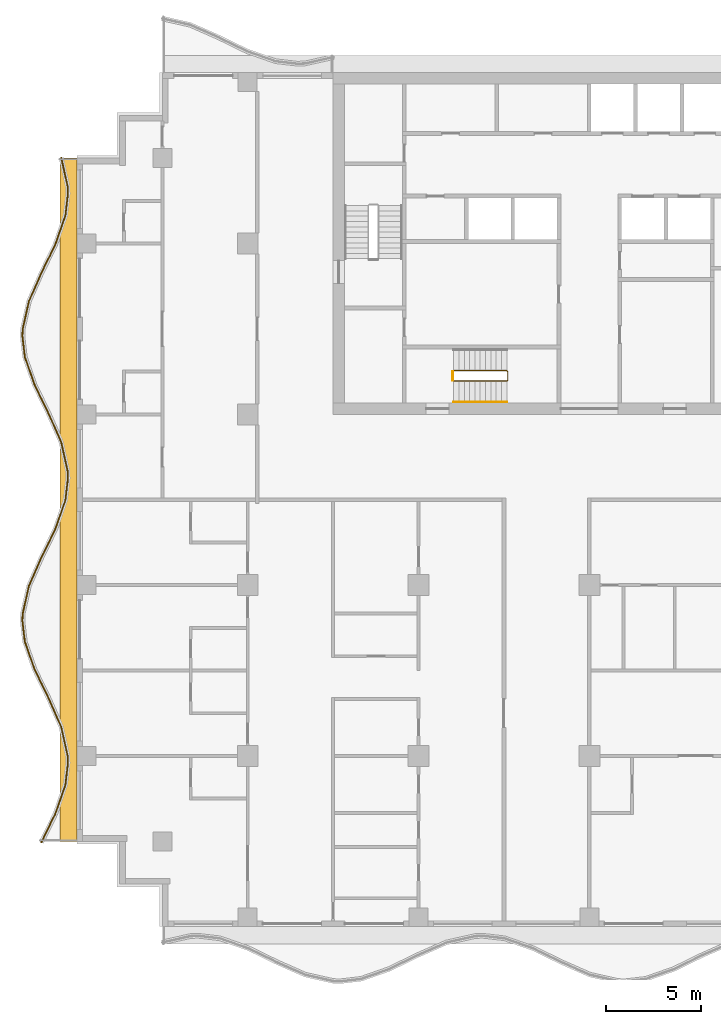
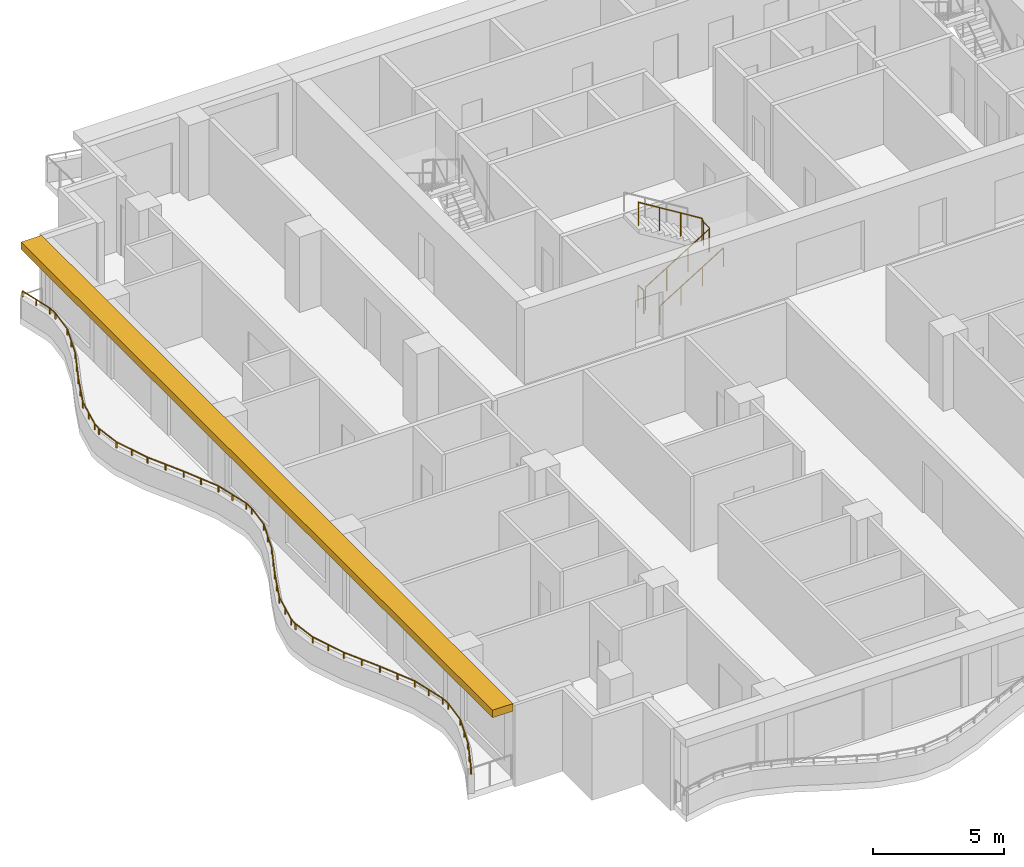
# One storey, part 9 of 11: 4 railings, 1 shading device.
"""IFC4 building model written with IfcOpenShell, lengths in metres."""

from ifc_helpers import new_model, si_unit, direction, frame, origin, origin_2d, place, context, subcontext, project, spatial, polyline, rectangle, circle, outline, extrude, material, layer, layer_set, type_object, element, save


model = new_model("IFC4")

# Units and contexts
model_context = context("Model", 3, precision=1e-05, world=origin(), true_north=direction((0.0, 1.0)))
body_context = subcontext(model_context, "Body", "Model", "MODEL_VIEW")
ifc_project = project(units=[si_unit("LENGTHUNIT", "METRE"), si_unit("AREAUNIT", "SQUARE_METRE"), si_unit("VOLUMEUNIT", "CUBIC_METRE"), si_unit("PLANEANGLEUNIT", "RADIAN"), si_unit("MASSUNIT", "GRAM", prefix="KILO")], contexts=[model_context])

# Site, building, storey
site_placement = place(None, origin())
site = spatial("IfcSite", under=ifc_project, at=site_placement, CompositionType="ELEMENT")
building_placement = place(site_placement, origin())
building = spatial("IfcBuilding", under=site, at=building_placement, Name="Orbiselva Terraces", CompositionType="ELEMENT")
storey_placement = place(building_placement, frame((0.0, 0.0, 199.6)))
storey = spatial("IfcBuildingStorey", under=building, at=storey_placement, Name="L50", CompositionType="ELEMENT", Elevation=199.6)

# Railings
ifc_material_1 = material(Name="Stainless steel", Category="steel")
railing_type_1 = type_object("IfcRailingType", Name="CORE-GUARD-1100", PredefinedType="GUARDRAIL", material=ifc_material_1)
railing_1_placement = place(storey_placement, frame((-7.15, 6.25, 0.172727)))
element("IfcRailing", 1, at=railing_1_placement, inside=storey, type_object=railing_type_1, Name="L50 S3 stair guard 1", PredefinedType="GUARDRAIL", context=body_context, shape_type="SweptSolid", body=[
    extrude(circle(Radius=0.024, at=origin_2d()), frame((0.0, 0.0, 1.081), z_axis=(0.851088519012, 0.0, 0.52502222125), x_axis=(0.0, 1.0, 0.0)), (0.0, 0.0, 1.0), 3.289905),
    extrude(circle(Radius=0.024, at=origin_2d()), frame((2.8, 0.0, 2.808273), z_axis=(0.707106781187, 0.707106781187, 0.0), x_axis=(-0.707106781187, 0.707106781187, 0.0)), (0.0, 0.0, 1.0), 0.070711),
    extrude(circle(Radius=0.024, at=origin_2d()), frame((2.85, 0.05, 2.808273), z_axis=(0.0, 1.0, 0.0), x_axis=(-1.0, 0.0, 0.0)), (0.0, 0.0, 1.0), 0.45),
    extrude(circle(Radius=0.024, at=origin_2d()), frame((2.85, 0.5, 2.808273), z_axis=(-0.267894925557, 0.267894925557, 0.925453736133), x_axis=(-0.707106781187, -0.707106781187, 0.0)), (0.0, 0.0, 1.0), 0.18664),
    extrude(circle(Radius=0.024, at=origin_2d()), frame((2.8, 0.55, 2.981), z_axis=(-0.851088519012, 0.0, 0.52502222125), x_axis=(0.0, -1.0, 0.0)), (0.0, 0.0, 1.0), 3.289905),
    extrude(circle(Radius=0.021, at=origin_2d()), origin(), (0.0, 0.0, 1.0), 1.057),
    extrude(circle(Radius=0.021, at=origin_2d()), frame((0.933333, 0.0, 0.575758)), (0.0, 0.0, 1.0), 1.057),
    extrude(circle(Radius=0.021, at=origin_2d()), frame((1.866667, 0.0, 1.151515)), (0.0, 0.0, 1.0), 1.057),
    extrude(circle(Radius=0.021, at=origin_2d()), frame((2.8, 0.0, 1.727273)), (0.0, 0.0, 1.0), 1.057),
    extrude(circle(Radius=0.021, at=origin_2d()), frame((2.85, 0.05, 1.727273)), (0.0, 0.0, 1.0), 1.057),
    extrude(circle(Radius=0.021, at=origin_2d()), frame((2.85, 0.5, 1.727273)), (0.0, 0.0, 1.0), 1.057),
    extrude(circle(Radius=0.021, at=origin_2d()), frame((2.8, 0.55, 1.9)), (0.0, 0.0, 1.0), 1.057),
    extrude(circle(Radius=0.021, at=origin_2d()), frame((1.866667, 0.55, 2.475758)), (0.0, 0.0, 1.0), 1.057),
    extrude(circle(Radius=0.021, at=origin_2d()), frame((0.933333, 0.55, 3.051515)), (0.0, 0.0, 1.0), 1.057),
    extrude(circle(Radius=0.021, at=origin_2d()), frame((0.0, 0.55, 3.627273)), (0.0, 0.0, 1.0), 1.057),
])
railing_2_placement = place(storey_placement, frame((-7.2, 6.3, 0.0)))
element("IfcRailing", 2, at=railing_2_placement, inside=storey, type_object=railing_type_1, Name="L50 S3 stair guard 2", PredefinedType="GUARDRAIL", context=body_context, shape_type="SweptSolid", body=[
    extrude(circle(Radius=0.024, at=origin_2d()), frame((0.0, 0.0, 1.081), z_axis=(0.0, 1.0, 0.0), x_axis=(-1.0, 0.0, 0.0)), (0.0, 0.0, 1.0), 0.45),
    extrude(circle(Radius=0.021, at=origin_2d()), origin(), (0.0, 0.0, 1.0), 1.057),
    extrude(circle(Radius=0.021, at=origin_2d()), frame((0.0, 0.45, 0.0)), (0.0, 0.0, 1.0), 1.057),
])
railing_type_2 = type_object("IfcRailingType", Name="CORE-HANDRAIL-900", PredefinedType="HANDRAIL", material=ifc_material_1)
railing_3_placement = place(storey_placement, frame((-7.15, 5.15, 0.172727)))
element("IfcRailing", 3, at=railing_3_placement, inside=storey, type_object=railing_type_2, Name="L50 S3 stair handrail 1", PredefinedType="HANDRAIL", context=body_context, shape_type="SweptSolid", body=[
    extrude(circle(Radius=0.024, at=origin_2d()), frame((0.0, 0.0, 0.876), z_axis=(0.851088519012, 0.0, 0.52502222125), x_axis=(0.0, 1.0, 0.0)), (0.0, 0.0, 1.0), 3.289905),
    extrude(circle(Radius=0.021, at=origin_2d()), origin(), (0.0, 0.0, 1.0), 0.852),
    extrude(circle(Radius=0.021, at=origin_2d()), frame((0.933333, 0.0, 0.575758)), (0.0, 0.0, 1.0), 0.852),
    extrude(circle(Radius=0.021, at=origin_2d()), frame((1.866667, 0.0, 1.151515)), (0.0, 0.0, 1.0), 0.852),
    extrude(circle(Radius=0.021, at=origin_2d()), frame((2.8, 0.0, 1.727273)), (0.0, 0.0, 1.0), 0.852),
])
ifc_material_2 = material(Name="Bonded two-ply safety glass balustrade, stainless steel posts", Category="steel")
railing_type_3 = type_object("IfcRailingType", Name="ENV-BALUSTRADE-1200", PredefinedType="BALUSTRADE", material=ifc_material_2)
railing_4_placement = place(storey_placement, frame((-27.829507, 18.027377, 0.9)))
element("IfcRailing", 4, at=railing_4_placement, inside=storey, type_object=railing_type_3, Name="Balcony balustrade L50 W", PredefinedType="BALUSTRADE", context=body_context, shape_type="SweptSolid", body=[
    extrude(outline(polyline([(0.028868, 0.0), (0.014434, 0.025), (-0.014434, 0.025), (-0.028868, 0.0), (-0.014434, -0.025), (0.014434, -0.025), (0.028868, 0.0)])), frame((0.0, 0.0, 0.275), z_axis=(0.219015484484, -0.97572138316, 0.0), x_axis=(0.97572138316, 0.219015484484, 0.0)), (0.0, 0.0, 1.0), 1.548694),
    extrude(outline(polyline([(0.028868, 0.0), (0.014434, 0.025), (-0.014434, 0.025), (-0.028868, 0.0), (-0.014434, -0.025), (0.014434, -0.025), (0.028868, 0.0)])), frame((0.339188, -1.511094, 0.275), z_axis=(0.03936915532, -0.999224734286, 0.0), x_axis=(0.999224734286, 0.03936915532, 0.0)), (0.0, 0.0, 1.0), 0.396376),
    extrude(outline(polyline([(0.028868, 0.0), (0.014434, 0.025), (-0.014434, 0.025), (-0.028868, 0.0), (-0.014434, -0.025), (0.014434, -0.025), (0.028868, 0.0)])), frame((0.354793, -1.907163, 0.275), z_axis=(-0.115482182324, -0.993309551734, 0.0), x_axis=(0.993309551734, -0.115482182324, 0.0)), (0.0, 0.0, 1.0), 1.156135),
    extrude(outline(polyline([(0.028868, 0.0), (0.014434, 0.025), (-0.014434, 0.025), (-0.028868, 0.0), (-0.014434, -0.025), (0.014434, -0.025), (0.028868, 0.0)])), frame((0.22128, -3.055563, 0.275), z_axis=(-0.330024597479, -0.943972332783, 0.0), x_axis=(0.943972332783, -0.330024597479, 0.0)), (0.0, 0.0, 1.0), 1.610253),
    extrude(outline(polyline([(0.028868, 0.0), (0.014434, 0.025), (-0.014434, 0.025), (-0.028868, 0.0), (-0.014434, -0.025), (0.014434, -0.025), (0.028868, 0.0)])), frame((-0.310143, -4.575597, 0.275), z_axis=(-0.438812048596, -0.898578870221, 0.0), x_axis=(0.898578870221, -0.438812048596, 0.0)), (0.0, 0.0, 1.0), 1.674225),
    extrude(outline(polyline([(0.028868, 0.0), (0.014434, 0.025), (-0.014434, 0.025), (-0.028868, 0.0), (-0.014434, -0.025), (0.014434, -0.025), (0.028868, 0.0)])), frame((-1.044813, -6.08002, 0.275), z_axis=(-0.403151245402, -0.915133363686, 0.0), x_axis=(0.915133363686, -0.403151245402, 0.0)), (0.0, 0.0, 1.0), 1.624475),
    extrude(outline(polyline([(0.028868, 0.0), (0.014434, 0.025), (-0.014434, 0.025), (-0.028868, 0.0), (-0.014434, -0.025), (0.014434, -0.025), (0.028868, 0.0)])), frame((-1.699722, -7.566631, 0.275), z_axis=(-0.219015740235, -0.975721325753, 0.0), x_axis=(0.975721325753, -0.219015740235, 0.0)), (0.0, 0.0, 1.0), 1.513782),
    extrude(outline(polyline([(0.028868, 0.0), (0.014434, 0.025), (-0.014434, 0.025), (-0.028868, 0.0), (-0.014434, -0.025), (0.014434, -0.025), (0.028868, 0.0)])), frame((-2.031264, -9.04366, 0.275), z_axis=(-0.039364150694, -0.999224931454, 0.0), x_axis=(0.999224931454, -0.039364150694, 0.0)), (0.0, 0.0, 1.0), 0.354206),
    extrude(outline(polyline([(0.028868, 0.0), (0.014434, 0.025), (-0.014434, 0.025), (-0.028868, 0.0), (-0.014434, -0.025), (0.014434, -0.025), (0.028868, 0.0)])), frame((-2.045207, -9.397591, 0.275), z_axis=(0.115481264762, -0.993309658409, 0.0), x_axis=(0.993309658409, 0.115481264762, 0.0)), (0.0, 0.0, 1.0), 1.10902),
    extrude(outline(polyline([(0.028868, 0.0), (0.014434, 0.025), (-0.014434, 0.025), (-0.028868, 0.0), (-0.014434, -0.025), (0.014434, -0.025), (0.028868, 0.0)])), frame((-1.917136, -10.499191, 0.275), z_axis=(0.330024754707, -0.943972277814, 0.0), x_axis=(0.943972277814, 0.330024754707, 0.0)), (0.0, 0.0, 1.0), 1.567807),
    extrude(outline(polyline([(0.028868, 0.0), (0.014434, 0.025), (-0.014434, 0.025), (-0.028868, 0.0), (-0.014434, -0.025), (0.014434, -0.025), (0.028868, 0.0)])), frame((-1.399721, -11.979157, 0.275), z_axis=(0.438811978768, -0.89857890432, 0.0), x_axis=(0.89857890432, 0.438811978768, 0.0)), (0.0, 0.0, 1.0), 1.66438),
    extrude(outline(polyline([(0.028868, 0.0), (0.014434, 0.025), (-0.014434, 0.025), (-0.028868, 0.0), (-0.014434, -0.025), (0.014434, -0.025), (0.028868, 0.0)])), frame((-0.669371, -13.474734, 0.275), z_axis=(0.403150874148, -0.915133527237, 0.0), x_axis=(0.915133527237, 0.403150874148, 0.0)), (0.0, 0.0, 1.0), 1.653736),
    extrude(outline(polyline([(0.028868, 0.0), (0.014434, 0.025), (-0.014434, 0.025), (-0.028868, 0.0), (-0.014434, -0.025), (0.014434, -0.025), (0.028868, 0.0)])), frame((-0.002666, -14.988123, 0.275), z_axis=(0.219015500924, -0.97572137947, 0.0), x_axis=(0.97572137947, 0.219015500924, 0.0)), (0.0, 0.0, 1.0), 1.560867),
    extrude(outline(polyline([(0.028868, 0.0), (0.014434, 0.025), (-0.014434, 0.025), (-0.028868, 0.0), (-0.014434, -0.025), (0.014434, -0.025), (0.028868, 0.0)])), frame((0.339188, -16.511094, 0.275), z_axis=(0.03936915532, -0.999224734286, 0.0), x_axis=(0.999224734286, 0.03936915532, 0.0)), (0.0, 0.0, 1.0), 0.396376),
    extrude(outline(polyline([(0.028868, 0.0), (0.014434, 0.025), (-0.014434, 0.025), (-0.028868, 0.0), (-0.014434, -0.025), (0.014434, -0.025), (0.028868, 0.0)])), frame((0.354793, -16.907163, 0.275), z_axis=(-0.115482182324, -0.993309551734, 0.0), x_axis=(0.993309551734, -0.115482182324, 0.0)), (0.0, 0.0, 1.0), 1.156135),
    extrude(outline(polyline([(0.028868, 0.0), (0.014434, 0.025), (-0.014434, 0.025), (-0.028868, 0.0), (-0.014434, -0.025), (0.014434, -0.025), (0.028868, 0.0)])), frame((0.22128, -18.055563, 0.275), z_axis=(-0.330024597479, -0.943972332783, 0.0), x_axis=(0.943972332783, -0.330024597479, 0.0)), (0.0, 0.0, 1.0), 1.610253),
    extrude(outline(polyline([(0.028868, 0.0), (0.014434, 0.025), (-0.014434, 0.025), (-0.028868, 0.0), (-0.014434, -0.025), (0.014434, -0.025), (0.028868, 0.0)])), frame((-0.310143, -19.575597, 0.275), z_axis=(-0.438812048596, -0.898578870221, 0.0), x_axis=(0.898578870221, -0.438812048596, 0.0)), (0.0, 0.0, 1.0), 1.674225),
    extrude(outline(polyline([(0.028868, 0.0), (0.014434, 0.025), (-0.014434, 0.025), (-0.028868, 0.0), (-0.014434, -0.025), (0.014434, -0.025), (0.028868, 0.0)])), frame((-1.044813, -21.08002, 0.275), z_axis=(-0.403151245402, -0.915133363686, 0.0), x_axis=(0.915133363686, -0.403151245402, 0.0)), (0.0, 0.0, 1.0), 1.624475),
    extrude(outline(polyline([(0.028868, 0.0), (0.014434, 0.025), (-0.014434, 0.025), (-0.028868, 0.0), (-0.014434, -0.025), (0.014434, -0.025), (0.028868, 0.0)])), frame((-1.699722, -22.566631, 0.275), z_axis=(-0.219015740235, -0.975721325753, 0.0), x_axis=(0.975721325753, -0.219015740235, 0.0)), (0.0, 0.0, 1.0), 1.513782),
    extrude(outline(polyline([(0.028868, 0.0), (0.014434, 0.025), (-0.014434, 0.025), (-0.028868, 0.0), (-0.014434, -0.025), (0.014434, -0.025), (0.028868, 0.0)])), frame((-2.031264, -24.04366, 0.275), z_axis=(-0.039364150694, -0.999224931454, 0.0), x_axis=(0.999224931454, -0.039364150694, 0.0)), (0.0, 0.0, 1.0), 0.354206),
    extrude(outline(polyline([(0.028868, 0.0), (0.014434, 0.025), (-0.014434, 0.025), (-0.028868, 0.0), (-0.014434, -0.025), (0.014434, -0.025), (0.028868, 0.0)])), frame((-2.045207, -24.397591, 0.275), z_axis=(0.115481264762, -0.993309658409, 0.0), x_axis=(0.993309658409, 0.115481264762, 0.0)), (0.0, 0.0, 1.0), 1.10902),
    extrude(outline(polyline([(0.028868, 0.0), (0.014434, 0.025), (-0.014434, 0.025), (-0.028868, 0.0), (-0.014434, -0.025), (0.014434, -0.025), (0.028868, 0.0)])), frame((-1.917136, -25.499191, 0.275), z_axis=(0.330024754707, -0.943972277814, 0.0), x_axis=(0.943972277814, 0.330024754707, 0.0)), (0.0, 0.0, 1.0), 1.567807),
    extrude(outline(polyline([(0.028868, 0.0), (0.014434, 0.025), (-0.014434, 0.025), (-0.028868, 0.0), (-0.014434, -0.025), (0.014434, -0.025), (0.028868, 0.0)])), frame((-1.399721, -26.979157, 0.275), z_axis=(0.438811978768, -0.89857890432, 0.0), x_axis=(0.89857890432, 0.438811978768, 0.0)), (0.0, 0.0, 1.0), 1.66438),
    extrude(outline(polyline([(0.028868, 0.0), (0.014434, 0.025), (-0.014434, 0.025), (-0.028868, 0.0), (-0.014434, -0.025), (0.014434, -0.025), (0.028868, 0.0)])), frame((-0.669371, -28.474734, 0.275), z_axis=(0.403150874148, -0.915133527237, 0.0), x_axis=(0.915133527237, 0.403150874148, 0.0)), (0.0, 0.0, 1.0), 1.653736),
    extrude(outline(polyline([(0.028868, 0.0), (0.014434, 0.025), (-0.014434, 0.025), (-0.028868, 0.0), (-0.014434, -0.025), (0.014434, -0.025), (0.028868, 0.0)])), frame((-0.002666, -29.988123, 0.275), z_axis=(0.219015500924, -0.97572137947, 0.0), x_axis=(0.97572137947, 0.219015500924, 0.0)), (0.0, 0.0, 1.0), 1.560867),
    extrude(outline(polyline([(0.028868, 0.0), (0.014434, 0.025), (-0.014434, 0.025), (-0.028868, 0.0), (-0.014434, -0.025), (0.014434, -0.025), (0.028868, 0.0)])), frame((0.339188, -31.511094, 0.275), z_axis=(0.03936915532, -0.999224734286, 0.0), x_axis=(0.999224734286, 0.03936915532, 0.0)), (0.0, 0.0, 1.0), 0.396376),
    extrude(outline(polyline([(0.028868, 0.0), (0.014434, 0.025), (-0.014434, 0.025), (-0.028868, 0.0), (-0.014434, -0.025), (0.014434, -0.025), (0.028868, 0.0)])), frame((0.354793, -31.907163, 0.275), z_axis=(-0.115482182324, -0.993309551734, 0.0), x_axis=(0.993309551734, -0.115482182324, 0.0)), (0.0, 0.0, 1.0), 1.156135),
    extrude(outline(polyline([(0.028868, 0.0), (0.014434, 0.025), (-0.014434, 0.025), (-0.028868, 0.0), (-0.014434, -0.025), (0.014434, -0.025), (0.028868, 0.0)])), frame((0.22128, -33.055563, 0.275), z_axis=(-0.330024597479, -0.943972332783, 0.0), x_axis=(0.943972332783, -0.330024597479, 0.0)), (0.0, 0.0, 1.0), 1.610253),
    extrude(outline(polyline([(0.028868, 0.0), (0.014434, 0.025), (-0.014434, 0.025), (-0.028868, 0.0), (-0.014434, -0.025), (0.014434, -0.025), (0.028868, 0.0)])), frame((-0.310143, -34.575597, 0.275), z_axis=(-0.43881217228, -0.898578809821, 0.0), x_axis=(0.898578809821, -0.43881217228, 0.0)), (0.0, 0.0, 1.0), 1.676683),
    extrude(rectangle(XDim=0.05, YDim=0.05, at=origin_2d()), origin(), (0.0, 0.0, 1.0), 0.25),
    extrude(rectangle(XDim=0.05, YDim=0.05, at=origin_2d()), frame((0.169594, -0.755547, 0.0)), (0.0, 0.0, 1.0), 0.25),
    extrude(rectangle(XDim=0.05, YDim=0.05, at=origin_2d()), frame((0.339188, -1.511094, 0.0)), (0.0, 0.0, 1.0), 0.25),
    extrude(rectangle(XDim=0.05, YDim=0.05, at=origin_2d()), frame((0.354793, -1.907163, 0.0)), (0.0, 0.0, 1.0), 0.25),
    extrude(rectangle(XDim=0.05, YDim=0.05, at=origin_2d()), frame((0.22128, -3.055563, 0.0)), (0.0, 0.0, 1.0), 0.25),
    extrude(rectangle(XDim=0.05, YDim=0.05, at=origin_2d()), frame((-0.044431, -3.81558, 0.0)), (0.0, 0.0, 1.0), 0.25),
    extrude(rectangle(XDim=0.05, YDim=0.05, at=origin_2d()), frame((-0.310143, -4.575597, 0.0)), (0.0, 0.0, 1.0), 0.25),
    extrude(rectangle(XDim=0.05, YDim=0.05, at=origin_2d()), frame((-0.677478, -5.327809, 0.0)), (0.0, 0.0, 1.0), 0.25),
    extrude(rectangle(XDim=0.05, YDim=0.05, at=origin_2d()), frame((-1.044813, -6.08002, 0.0)), (0.0, 0.0, 1.0), 0.25),
    extrude(rectangle(XDim=0.05, YDim=0.05, at=origin_2d()), frame((-1.372268, -6.823326, 0.0)), (0.0, 0.0, 1.0), 0.25),
    extrude(rectangle(XDim=0.05, YDim=0.05, at=origin_2d()), frame((-1.699722, -7.566631, 0.0)), (0.0, 0.0, 1.0), 0.25),
    extrude(rectangle(XDim=0.05, YDim=0.05, at=origin_2d()), frame((-1.865493, -8.305146, 0.0)), (0.0, 0.0, 1.0), 0.25),
    extrude(rectangle(XDim=0.05, YDim=0.05, at=origin_2d()), frame((-2.031264, -9.04366, 0.0)), (0.0, 0.0, 1.0), 0.25),
    extrude(rectangle(XDim=0.05, YDim=0.05, at=origin_2d()), frame((-2.045207, -9.397591, 0.0)), (0.0, 0.0, 1.0), 0.25),
    extrude(rectangle(XDim=0.05, YDim=0.05, at=origin_2d()), frame((-1.917136, -10.499191, 0.0)), (0.0, 0.0, 1.0), 0.25),
    extrude(rectangle(XDim=0.05, YDim=0.05, at=origin_2d()), frame((-1.658428, -11.239174, 0.0)), (0.0, 0.0, 1.0), 0.25),
    extrude(rectangle(XDim=0.05, YDim=0.05, at=origin_2d()), frame((-1.399721, -11.979157, 0.0)), (0.0, 0.0, 1.0), 0.25),
    extrude(rectangle(XDim=0.05, YDim=0.05, at=origin_2d()), frame((-1.034546, -12.726946, 0.0)), (0.0, 0.0, 1.0), 0.25),
    extrude(rectangle(XDim=0.05, YDim=0.05, at=origin_2d()), frame((-0.669371, -13.474734, 0.0)), (0.0, 0.0, 1.0), 0.25),
    extrude(rectangle(XDim=0.05, YDim=0.05, at=origin_2d()), frame((-0.336019, -14.231429, 0.0)), (0.0, 0.0, 1.0), 0.25),
    extrude(rectangle(XDim=0.05, YDim=0.05, at=origin_2d()), frame((-0.002666, -14.988123, 0.0)), (0.0, 0.0, 1.0), 0.25),
    extrude(rectangle(XDim=0.05, YDim=0.05, at=origin_2d()), frame((0.168261, -15.749608, 0.0)), (0.0, 0.0, 1.0), 0.25),
    extrude(rectangle(XDim=0.05, YDim=0.05, at=origin_2d()), frame((0.339188, -16.511094, 0.0)), (0.0, 0.0, 1.0), 0.25),
    extrude(rectangle(XDim=0.05, YDim=0.05, at=origin_2d()), frame((0.354793, -16.907163, 0.0)), (0.0, 0.0, 1.0), 0.25),
    extrude(rectangle(XDim=0.05, YDim=0.05, at=origin_2d()), frame((0.22128, -18.055563, 0.0)), (0.0, 0.0, 1.0), 0.25),
    extrude(rectangle(XDim=0.05, YDim=0.05, at=origin_2d()), frame((-0.044431, -18.81558, 0.0)), (0.0, 0.0, 1.0), 0.25),
    extrude(rectangle(XDim=0.05, YDim=0.05, at=origin_2d()), frame((-0.310143, -19.575597, 0.0)), (0.0, 0.0, 1.0), 0.25),
    extrude(rectangle(XDim=0.05, YDim=0.05, at=origin_2d()), frame((-0.677478, -20.327809, 0.0)), (0.0, 0.0, 1.0), 0.25),
    extrude(rectangle(XDim=0.05, YDim=0.05, at=origin_2d()), frame((-1.044813, -21.08002, 0.0)), (0.0, 0.0, 1.0), 0.25),
    extrude(rectangle(XDim=0.05, YDim=0.05, at=origin_2d()), frame((-1.372268, -21.823326, 0.0)), (0.0, 0.0, 1.0), 0.25),
    extrude(rectangle(XDim=0.05, YDim=0.05, at=origin_2d()), frame((-1.699722, -22.566631, 0.0)), (0.0, 0.0, 1.0), 0.25),
    extrude(rectangle(XDim=0.05, YDim=0.05, at=origin_2d()), frame((-1.865493, -23.305146, 0.0)), (0.0, 0.0, 1.0), 0.25),
    extrude(rectangle(XDim=0.05, YDim=0.05, at=origin_2d()), frame((-2.031264, -24.04366, 0.0)), (0.0, 0.0, 1.0), 0.25),
    extrude(rectangle(XDim=0.05, YDim=0.05, at=origin_2d()), frame((-2.045207, -24.397591, 0.0)), (0.0, 0.0, 1.0), 0.25),
    extrude(rectangle(XDim=0.05, YDim=0.05, at=origin_2d()), frame((-1.917136, -25.499191, 0.0)), (0.0, 0.0, 1.0), 0.25),
    extrude(rectangle(XDim=0.05, YDim=0.05, at=origin_2d()), frame((-1.658428, -26.239174, 0.0)), (0.0, 0.0, 1.0), 0.25),
    extrude(rectangle(XDim=0.05, YDim=0.05, at=origin_2d()), frame((-1.399721, -26.979157, 0.0)), (0.0, 0.0, 1.0), 0.25),
    extrude(rectangle(XDim=0.05, YDim=0.05, at=origin_2d()), frame((-1.034546, -27.726946, 0.0)), (0.0, 0.0, 1.0), 0.25),
    extrude(rectangle(XDim=0.05, YDim=0.05, at=origin_2d()), frame((-0.669371, -28.474734, 0.0)), (0.0, 0.0, 1.0), 0.25),
    extrude(rectangle(XDim=0.05, YDim=0.05, at=origin_2d()), frame((-0.336019, -29.231428, 0.0)), (0.0, 0.0, 1.0), 0.25),
    extrude(rectangle(XDim=0.05, YDim=0.05, at=origin_2d()), frame((-0.002666, -29.988123, 0.0)), (0.0, 0.0, 1.0), 0.25),
    extrude(rectangle(XDim=0.05, YDim=0.05, at=origin_2d()), frame((0.168261, -30.749608, 0.0)), (0.0, 0.0, 1.0), 0.25),
    extrude(rectangle(XDim=0.05, YDim=0.05, at=origin_2d()), frame((0.339188, -31.511094, 0.0)), (0.0, 0.0, 1.0), 0.25),
    extrude(rectangle(XDim=0.05, YDim=0.05, at=origin_2d()), frame((0.354793, -31.907163, 0.0)), (0.0, 0.0, 1.0), 0.25),
    extrude(rectangle(XDim=0.05, YDim=0.05, at=origin_2d()), frame((0.22128, -33.055563, 0.0)), (0.0, 0.0, 1.0), 0.25),
    extrude(rectangle(XDim=0.05, YDim=0.05, at=origin_2d()), frame((-0.044431, -33.81558, 0.0)), (0.0, 0.0, 1.0), 0.25),
    extrude(rectangle(XDim=0.05, YDim=0.05, at=origin_2d()), frame((-0.310143, -34.575597, 0.0)), (0.0, 0.0, 1.0), 0.25),
    extrude(rectangle(XDim=0.05, YDim=0.05, at=origin_2d()), frame((-0.678018, -35.328913, 0.0)), (0.0, 0.0, 1.0), 0.25),
    extrude(rectangle(XDim=0.05, YDim=0.05, at=origin_2d()), frame((-1.045892, -36.082229, 0.0)), (0.0, 0.0, 1.0), 0.25),
])

# Shading device
ifc_material_3 = material(Name="Terracotta baguette sunshade", Category="masonry")
ifc_layer = layer(ifc_material_3, 0.35)
ifc_layer_set = layer_set([ifc_layer], Name="Terracotta baguette sunshade")
shading_device_type = type_object("IfcShadingDeviceType", Name="ENV-SUNSHADE-900x350", PredefinedType="USERDEFINED", material=ifc_layer_set)
shading_device_placement = place(storey_placement, frame((0.0, 0.0, 3.15)))
element("IfcShadingDevice", 5, at=shading_device_placement, inside=storey, type_object=shading_device_type, Name="Sunshade band L50 W", ObjectType="SUNSHADE", PredefinedType="USERDEFINED", context=body_context, shape_type="SweptSolid", body=[
    extrude(outline(polyline([(-27.9, 18.0), (-27.9, -18.0), (-27.0, -18.0), (-27.0, 18.0), (-27.9, 18.0)])), origin(), (0.0, 0.0, 1.0), 0.35),
])

save(model, "model.ifc")
